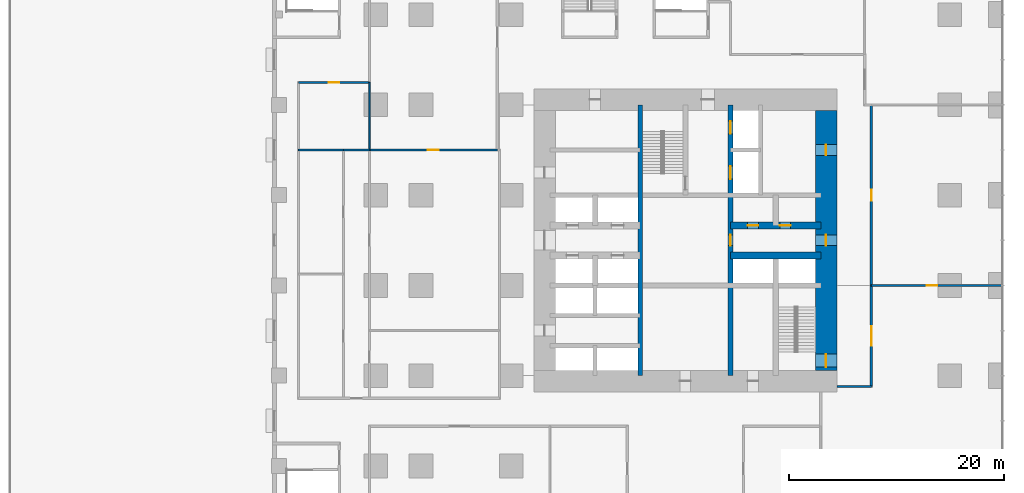
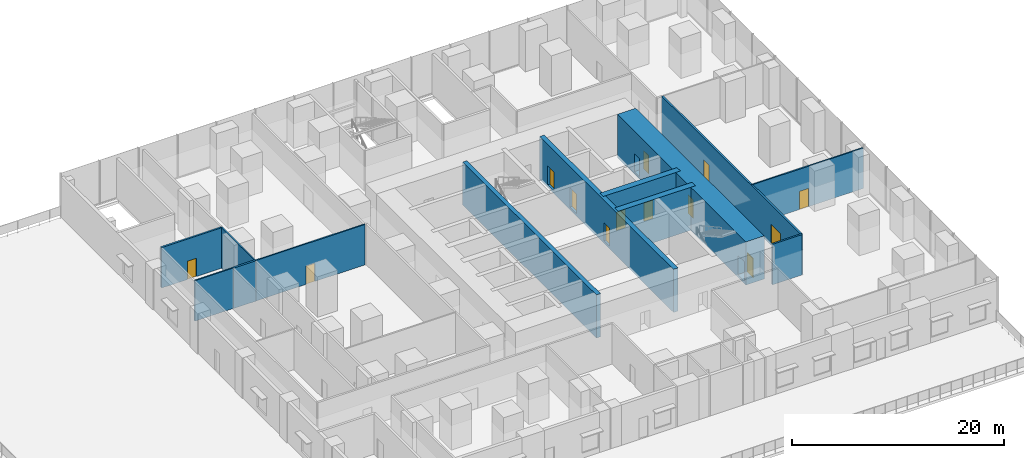
# One storey, part 13 of 18: 13 doors, 13 walls, 13 openings.
"""IFC4 building model written with IfcOpenShell, lengths in metres."""

from ifc_helpers import new_model, si_unit, direction, frame, frame_2d, origin, place, context, subcontext, project, spatial, rectangle, extrude, material, layer, layer_set, type_object, element, fill, save


model = new_model("IFC4")

# Units and contexts
model_context = context("Model", 3, precision=1e-05, world=origin(), true_north=direction((0.0, 1.0)))
body_context = subcontext(model_context, "Body", "Model", "MODEL_VIEW")
ifc_project = project(units=[si_unit("LENGTHUNIT", "METRE"), si_unit("AREAUNIT", "SQUARE_METRE"), si_unit("VOLUMEUNIT", "CUBIC_METRE"), si_unit("PLANEANGLEUNIT", "RADIAN"), si_unit("MASSUNIT", "GRAM", prefix="KILO")], contexts=[model_context])

# Site, building, storey
site_placement = place(None, origin())
site = spatial("IfcSite", under=ifc_project, at=site_placement, CompositionType="ELEMENT")
building_placement = place(site_placement, origin())
building = spatial("IfcBuilding", under=site, at=building_placement, Name="Dunama Terrace Hotel", CompositionType="ELEMENT")
storey_placement = place(building_placement, frame((0.0, 0.0, 17.0)))
storey = spatial("IfcBuildingStorey", under=building, at=storey_placement, Name="L03", CompositionType="ELEMENT", Elevation=17.0)

# Wall
ifc_material_1 = material(Name="Concrete C50/60", Category="concrete")
ifc_layer_1 = layer(ifc_material_1, 0.449951171875)
ifc_layer_set_1 = layer_set([ifc_layer_1], Name="Core inner wall 450")
wall_type_1 = type_object("IfcWallType", Name="Core inner wall 450", PredefinedType="SHEAR", material=ifc_layer_set_1)
wall_1_placement = place(storey_placement, frame((25.199951171875, 16.800048828125, -0.300048828125), z_axis=(0.0, 0.0, 1.0), x_axis=(0.0, 1.0, 0.0)))
element("IfcWall", 1, at=wall_1_placement, inside=storey, type_object=wall_type_1, Name="Core inner wall 450 L03", PredefinedType="SHEAR", context=body_context, shape_type="SweptSolid", body=[
    extrude(rectangle(XDim=25.199951171875, YDim=0.449951171875, at=frame_2d((12.60009765625, 0.0))), origin(), (0.0, 0.0, 1.0), 4.949951171875),
])

# Wall, openings, doors
ifc_material_2 = material(Name="Concrete C50/60", Category="concrete")
ifc_layer_2 = layer(ifc_material_2, 0.5)
ifc_layer_set_2 = layer_set([ifc_layer_2], Name="Core inner wall 500")
wall_type_2 = type_object("IfcWallType", Name="Core inner wall 500", PredefinedType="SHEAR", material=ifc_layer_set_2)
wall_2_placement = place(storey_placement, frame((33.60009765625, 16.800048828125, -0.300048828125), z_axis=(0.0, 0.0, 1.0), x_axis=(0.0, 1.0, 0.0)))
wall_2 = element("IfcWall", 2, at=wall_2_placement, inside=storey, type_object=wall_type_2, Name="Core inner wall 500 L03", PredefinedType="SHEAR", context=body_context, shape_type="SweptSolid", body=[
    extrude(rectangle(XDim=25.199951171875, YDim=0.5, at=frame_2d((12.60009765625, 0.0))), origin(), (0.0, 0.0, 1.0), 4.949951171875),
])
opening_1_placement = place(wall_2_placement, frame((22.5, 0.0, 0.300048828125)))
opening_1 = element("IfcOpeningElement", 3, at=opening_1_placement, cuts=wall_2, Name="Opening L03-016", PredefinedType="OPENING", context=body_context, shape_type="SweptSolid", body=[
    extrude(rectangle(XDim=1.199951171875, YDim=2.199951171875, at=frame_2d((0.60009765625, 1.10009765625))), frame((0.0, 0.260009765625, 0.0), z_axis=(0.0, -1.0, 0.0), x_axis=(1.0, 0.0, 0.0)), (0.0, 0.0, 1.0), 0.52001953125),
])
opening_2_placement = place(wall_2_placement, frame((18.300048828125, 0.0, 0.300048828125)))
opening_2 = element("IfcOpeningElement", 4, at=opening_2_placement, cuts=wall_2, Name="Opening L03-017", PredefinedType="OPENING", context=body_context, shape_type="SweptSolid", body=[
    extrude(rectangle(XDim=1.199951171875, YDim=2.199951171875, at=frame_2d((0.60009765625, 1.10009765625))), frame((0.0, 0.260009765625, 0.0), z_axis=(0.0, -1.0, 0.0), x_axis=(1.0, 0.0, 0.0)), (0.0, 0.0, 1.0), 0.52001953125),
])
opening_3_placement = place(wall_2_placement, frame((12.10009765625, 0.0, 0.300048828125)))
opening_3 = element("IfcOpeningElement", 5, at=opening_3_placement, cuts=wall_2, Name="Opening L03-022", PredefinedType="OPENING", context=body_context, shape_type="SweptSolid", body=[
    extrude(rectangle(XDim=1.0, YDim=2.10009765625, at=frame_2d((0.5, 1.050048828125))), frame((0.0, 0.260009765625, 0.0), z_axis=(0.0, -1.0, 0.0), x_axis=(1.0, 0.0, 0.0)), (0.0, 0.0, 1.0), 0.52001953125),
])
ifc_material_3 = material(Name="Stainless steel lift door", Category="steel")
door_type_1 = type_object("IfcDoorType", Name="Firefighting lift landing door 1200", OperationType="DOUBLE_DOOR_SLIDING", PredefinedType="DOOR", material=ifc_material_3)
door_1_placement = place(opening_1_placement, origin())
door_1 = element("IfcDoor", 6, at=door_1_placement, inside=storey, type_object=door_type_1, Name="Landing door FL1 L03-016, type LD2", OperationType="DOUBLE_DOOR_SLIDING", OverallHeight=2.199951171875, OverallWidth=1.199951171875, PredefinedType="DOOR", context=body_context, shape_type="SweptSolid", body=[
    extrude(rectangle(XDim=1.199951171875, YDim=2.199951171875, at=frame_2d((0.60009765625, 1.10009765625))), frame((0.0, 0.02490234375, 0.0), z_axis=(0.0, -1.0, 0.0), x_axis=(1.0, 0.0, 0.0)), (0.0, 0.0, 1.0), 0.050048828125),
])
fill(opening_1, door_1)
door_2_placement = place(opening_2_placement, origin())
door_2 = element("IfcDoor", 7, at=door_2_placement, inside=storey, type_object=door_type_1, Name="Landing door FL2 L03-017, type LD2", OperationType="DOUBLE_DOOR_SLIDING", OverallHeight=2.199951171875, OverallWidth=1.199951171875, PredefinedType="DOOR", context=body_context, shape_type="SweptSolid", body=[
    extrude(rectangle(XDim=1.199951171875, YDim=2.199951171875, at=frame_2d((0.60009765625, 1.10009765625))), frame((0.0, 0.02490234375, 0.0), z_axis=(0.0, -1.0, 0.0), x_axis=(1.0, 0.0, 0.0)), (0.0, 0.0, 1.0), 0.050048828125),
])
fill(opening_2, door_2)
ifc_material_4 = material(Name="Timber door with steel frame", Category="steel")
door_type_2 = type_object("IfcDoorType", Name="Service door 1000", OperationType="SINGLE_SWING_LEFT", PredefinedType="DOOR", material=ifc_material_4)
door_3_placement = place(opening_3_placement, origin())
door_3 = element("IfcDoor", 8, at=door_3_placement, inside=storey, type_object=door_type_2, Name="Door to linen and housekeeping room L03-022, type D7", OperationType="SINGLE_SWING_LEFT", OverallHeight=2.10009765625, OverallWidth=1.0, PredefinedType="DOOR", context=body_context, shape_type="SweptSolid", body=[
    extrude(rectangle(XDim=1.0, YDim=2.10009765625, at=frame_2d((0.5, 1.050048828125))), frame((0.0, 0.02490234375, 0.0), z_axis=(0.0, -1.0, 0.0), x_axis=(1.0, 0.0, 0.0)), (0.0, 0.0, 1.0), 0.050048828125),
])
fill(opening_3, door_3)

# Wall
ifc_material_5 = material(Name="Concrete C50/60", Category="concrete")
ifc_layer_3 = layer(ifc_material_5, 0.64990234375)
ifc_layer_set_3 = layer_set([ifc_layer_3], Name="Core inner wall 650")
wall_type_3 = type_object("IfcWallType", Name="Core inner wall 650", PredefinedType="SHEAR", material=ifc_layer_set_3)
wall_3_placement = place(storey_placement, frame((33.60009765625, 28.0, -0.300048828125), z_axis=(0.0, 0.0, 1.0), x_axis=(1.0, 0.0, 0.0)))
element("IfcWall", 9, at=wall_3_placement, inside=storey, type_object=wall_type_3, Name="Core inner wall 650 L03", PredefinedType="SHEAR", context=body_context, shape_type="SweptSolid", body=[
    extrude(rectangle(XDim=8.39990234375, YDim=0.64990234375, at=frame_2d((4.199951171875, 0.0))), origin(), (0.0, 0.0, 1.0), 4.949951171875),
])

# Wall, openings, doors
wall_4_placement = place(storey_placement, frame((33.60009765625, 30.800048828125, -0.300048828125), z_axis=(0.0, 0.0, 1.0), x_axis=(1.0, 0.0, 0.0)))
wall_4 = element("IfcWall", 10, at=wall_4_placement, inside=storey, type_object=wall_type_3, Name="Core inner wall 650 L03", PredefinedType="SHEAR", context=body_context, shape_type="SweptSolid", body=[
    extrude(rectangle(XDim=8.39990234375, YDim=0.64990234375, at=frame_2d((4.199951171875, 0.0))), origin(), (0.0, 0.0, 1.0), 4.949951171875),
])
opening_4_placement = place(wall_4_placement, frame((1.60009765625, 0.0, 0.300048828125)))
opening_4 = element("IfcOpeningElement", 11, at=opening_4_placement, cuts=wall_4, Name="Opening L03-023", PredefinedType="OPENING", context=body_context, shape_type="SweptSolid", body=[
    extrude(rectangle(XDim=1.0, YDim=2.10009765625, at=frame_2d((0.5, 1.050048828125))), frame((0.0, 0.3349609375, 0.0), z_axis=(0.0, -1.0, 0.0), x_axis=(1.0, 0.0, 0.0)), (0.0, 0.0, 1.0), 0.669921875),
])
opening_5_placement = place(wall_4_placement, frame((4.60009765625, 0.0, 0.300048828125)))
opening_5 = element("IfcOpeningElement", 12, at=opening_5_placement, cuts=wall_4, Name="Opening L03-024", PredefinedType="OPENING", context=body_context, shape_type="SweptSolid", body=[
    extrude(rectangle(XDim=1.0, YDim=2.10009765625, at=frame_2d((0.5, 1.050048828125))), frame((0.0, 0.3349609375, 0.0), z_axis=(0.0, -1.0, 0.0), x_axis=(1.0, 0.0, 0.0)), (0.0, 0.0, 1.0), 0.669921875),
])
door_4_placement = place(opening_4_placement, origin())
door_4 = element("IfcDoor", 13, at=door_4_placement, inside=storey, type_object=door_type_2, Name="Door to service riser L03-023, type D7", OperationType="SINGLE_SWING_RIGHT", OverallHeight=2.10009765625, OverallWidth=1.0, PredefinedType="DOOR", context=body_context, shape_type="SweptSolid", body=[
    extrude(rectangle(XDim=1.0, YDim=2.10009765625, at=frame_2d((0.5, 1.050048828125))), frame((0.0, 0.02490234375, 0.0), z_axis=(0.0, -1.0, 0.0), x_axis=(1.0, 0.0, 0.0)), (0.0, 0.0, 1.0), 0.050048828125),
])
fill(opening_4, door_4)
door_5_placement = place(opening_5_placement, origin())
door_5 = element("IfcDoor", 14, at=door_5_placement, inside=storey, type_object=door_type_2, Name="Door to staff accessible wc L03-024, type D7", OperationType="SINGLE_SWING_LEFT", OverallHeight=2.10009765625, OverallWidth=1.0, PredefinedType="DOOR", context=body_context, shape_type="SweptSolid", body=[
    extrude(rectangle(XDim=1.0, YDim=2.10009765625, at=frame_2d((0.5, 1.050048828125))), frame((0.0, 0.02490234375, 0.0), z_axis=(0.0, -1.0, 0.0), x_axis=(1.0, 0.0, 0.0)), (0.0, 0.0, 1.0), 0.050048828125),
])
fill(opening_5, door_5)

ifc_material_6 = material(Name="Concrete C60/75", Category="concrete")
ifc_layer_4 = layer(ifc_material_6, 2.0)
ifc_layer_set_4 = layer_set([ifc_layer_4], Name="Core wall 2000")
wall_type_4 = type_object("IfcWallType", Name="Core wall 2000", PredefinedType="SHEAR", material=ifc_layer_set_4)
wall_5_placement = place(storey_placement, frame((42.5, 17.300048828125, -0.300048828125), z_axis=(0.0, 0.0, 1.0), x_axis=(0.0, 1.0, 0.0)))
wall_5 = element("IfcWall", 15, at=wall_5_placement, inside=storey, type_object=wall_type_4, Name="Core wall east L03", PredefinedType="SHEAR", context=body_context, shape_type="SweptSolid", body=[
    extrude(rectangle(XDim=24.199951171875, YDim=2.0, at=frame_2d((12.10009765625, 0.0))), origin(), (0.0, 0.0, 1.0), 4.949951171875),
])
opening_6_placement = place(wall_5_placement, frame((0.300048828125, 0.0, 0.300048828125)))
opening_6 = element("IfcOpeningElement", 16, at=opening_6_placement, cuts=wall_5, Name="Opening L03-007", PredefinedType="OPENING", context=body_context, shape_type="SweptSolid", body=[
    extrude(rectangle(XDim=1.199951171875, YDim=2.199951171875, at=frame_2d((0.60009765625, 1.10009765625))), frame((0.0, 1.010009765625, 0.0), z_axis=(0.0, -1.0, 0.0), x_axis=(1.0, 0.0, 0.0)), (0.0, 0.0, 1.0), 2.02001953125),
])
opening_7_placement = place(wall_5_placement, frame((11.60009765625, 0.0, 0.300048828125)))
opening_7 = element("IfcOpeningElement", 17, at=opening_7_placement, cuts=wall_5, Name="Opening L03-025", PredefinedType="OPENING", context=body_context, shape_type="SweptSolid", body=[
    extrude(rectangle(XDim=1.0, YDim=2.10009765625, at=frame_2d((0.5, 1.050048828125))), frame((0.0, 1.010009765625, 0.0), z_axis=(0.0, -1.0, 0.0), x_axis=(1.0, 0.0, 0.0)), (0.0, 0.0, 1.0), 2.02001953125),
])
opening_8_placement = place(wall_5_placement, frame((20.0, 0.0, 0.300048828125)))
opening_8 = element("IfcOpeningElement", 18, at=opening_8_placement, cuts=wall_5, Name="Opening L03-027", PredefinedType="OPENING", context=body_context, shape_type="SweptSolid", body=[
    extrude(rectangle(XDim=1.0, YDim=2.10009765625, at=frame_2d((0.5, 1.050048828125))), frame((0.0, 1.010009765625, 0.0), z_axis=(0.0, -1.0, 0.0), x_axis=(1.0, 0.0, 0.0)), (0.0, 0.0, 1.0), 2.02001953125),
])
door_6_placement = place(opening_7_placement, origin())
door_6 = element("IfcDoor", 19, at=door_6_placement, inside=storey, type_object=door_type_2, Name="Door to service lobby L03-025, type D7", OperationType="SINGLE_SWING_LEFT", OverallHeight=2.10009765625, OverallWidth=1.0, PredefinedType="DOOR", context=body_context, shape_type="SweptSolid", body=[
    extrude(rectangle(XDim=1.0, YDim=2.10009765625, at=frame_2d((0.5, 1.050048828125))), frame((0.0, 0.02490234375, 0.0), z_axis=(0.0, -1.0, 0.0), x_axis=(1.0, 0.0, 0.0)), (0.0, 0.0, 1.0), 0.050048828125),
])
fill(opening_7, door_6)
door_7_placement = place(opening_8_placement, origin())
door_7 = element("IfcDoor", 20, at=door_7_placement, inside=storey, type_object=door_type_2, Name="Door to bar store L03-027, type D7", OperationType="SINGLE_SWING_RIGHT", OverallHeight=2.10009765625, OverallWidth=1.0, PredefinedType="DOOR", context=body_context, shape_type="SweptSolid", body=[
    extrude(rectangle(XDim=1.0, YDim=2.10009765625, at=frame_2d((0.5, 1.050048828125))), frame((0.0, 0.02490234375, 0.0), z_axis=(0.0, -1.0, 0.0), x_axis=(1.0, 0.0, 0.0)), (0.0, 0.0, 1.0), 0.050048828125),
])
fill(opening_8, door_7)
ifc_material_7 = material(Name="Timber door with steel frame", Category="steel")
door_type_3 = type_object("IfcDoorType", Name="Stair door 1200", OperationType="SINGLE_SWING_LEFT", PredefinedType="DOOR", material=ifc_material_7)
door_8_placement = place(opening_6_placement, origin())
door_8 = element("IfcDoor", 21, at=door_8_placement, inside=storey, type_object=door_type_3, Name="Stair door ST2 L03-007, type D5", OperationType="SINGLE_SWING_LEFT", OverallHeight=2.199951171875, OverallWidth=1.199951171875, PredefinedType="DOOR", context=body_context, shape_type="SweptSolid", body=[
    extrude(rectangle(XDim=1.199951171875, YDim=2.199951171875, at=frame_2d((0.60009765625, 1.10009765625))), frame((0.0, 0.02490234375, 0.0), z_axis=(0.0, -1.0, 0.0), x_axis=(1.0, 0.0, 0.0)), (0.0, 0.0, 1.0), 0.050048828125),
])
fill(opening_6, door_8)

ifc_material_8 = material(Name="Concrete blockwork", Category="masonry")
ifc_layer_5 = layer(ifc_material_8, 0.199951171875)
ifc_layer_set_5 = layer_set([ifc_layer_5], Name="Corridor partition 200")
wall_type_5 = type_object("IfcWallType", Name="Corridor partition 200", PredefinedType="PARTITIONING", material=ifc_layer_set_5)
wall_6_placement = place(storey_placement, frame((46.699951171875, 15.800048828125, 0.0), z_axis=(0.0, 0.0, 1.0), x_axis=(0.0, 1.0, 0.0)))
wall_6 = element("IfcWall", 22, at=wall_6_placement, inside=storey, type_object=wall_type_5, Name="Corridor partition 200 L03", PredefinedType="PARTITIONING", context=body_context, shape_type="SweptSolid", body=[
    extrude(rectangle(XDim=26.199951171875, YDim=0.199951171875, at=frame_2d((13.10009765625, 0.0))), origin(), (0.0, 0.0, 1.0), 4.64990234375),
])
opening_9_placement = place(wall_6_placement, frame((3.800048828125, 0.0, 0.0)))
opening_9 = element("IfcOpeningElement", 23, at=opening_9_placement, cuts=wall_6, Name="Opening L03-038", PredefinedType="OPENING", context=body_context, shape_type="SweptSolid", body=[
    extrude(rectangle(XDim=1.800048828125, YDim=2.39990234375, at=frame_2d((0.89990234375, 1.199951171875))), frame((0.0, 0.10986328125, 0.0), z_axis=(0.0, -1.0, 0.0), x_axis=(1.0, 0.0, 0.0)), (0.0, 0.0, 1.0), 0.219970703125),
])
opening_10_placement = place(wall_6_placement, frame((17.300048828125, 0.0, 0.0)))
opening_10 = element("IfcOpeningElement", 24, at=opening_10_placement, cuts=wall_6, Name="Opening L03-040", PredefinedType="OPENING", context=body_context, shape_type="SweptSolid", body=[
    extrude(rectangle(XDim=1.0, YDim=2.10009765625, at=frame_2d((0.5, 1.050048828125))), frame((0.0, 0.10986328125, 0.0), z_axis=(0.0, -1.0, 0.0), x_axis=(1.0, 0.0, 0.0)), (0.0, 0.0, 1.0), 0.219970703125),
])
ifc_material_9 = material(Name="Aluminium-framed glazed door", Category="aluminium")
door_type_4 = type_object("IfcDoorType", Name="Glazed double door 1800", OperationType="DOUBLE_DOOR_DOUBLE_SWING", PredefinedType="DOOR", material=ifc_material_9)
door_9_placement = place(opening_9_placement, origin())
door_9 = element("IfcDoor", 25, at=door_9_placement, inside=storey, type_object=door_type_4, Name="Door to specialty restaurant L03-038, type D8", OperationType="DOUBLE_DOOR_DOUBLE_SWING", OverallHeight=2.39990234375, OverallWidth=1.800048828125, PredefinedType="DOOR", context=body_context, shape_type="SweptSolid", body=[
    extrude(rectangle(XDim=1.800048828125, YDim=2.39990234375, at=frame_2d((0.89990234375, 1.199951171875))), frame((0.0, 0.02490234375, 0.0), z_axis=(0.0, -1.0, 0.0), x_axis=(1.0, 0.0, 0.0)), (0.0, 0.0, 1.0), 0.050048828125),
])
fill(opening_9, door_9)
door_10_placement = place(opening_10_placement, frame((1.0, 0.0, 0.0), z_axis=(0.0, 0.0, 1.0), x_axis=(-1.0, 0.0, 0.0)))
door_10 = element("IfcDoor", 26, at=door_10_placement, inside=storey, type_object=door_type_2, Name="Door to specialty kitchen L03-040, type D7", OperationType="SINGLE_SWING_RIGHT", OverallHeight=2.10009765625, OverallWidth=1.0, PredefinedType="DOOR", context=body_context, shape_type="SweptSolid", body=[
    extrude(rectangle(XDim=1.0, YDim=2.10009765625, at=frame_2d((0.5, 1.050048828125))), frame((0.0, 0.025146484375, 0.0), z_axis=(0.0, -1.0, 0.0), x_axis=(1.0, 0.0, 0.0)), (0.0, 0.0, 1.0), 0.050048828125),
])
fill(opening_10, door_10)

# Walls
wall_7_placement = place(storey_placement, frame((43.5, 15.800048828125, 0.0), z_axis=(0.0, 0.0, 1.0), x_axis=(1.0, 0.0, 0.0)))
element("IfcWall", 27, at=wall_7_placement, inside=storey, type_object=wall_type_5, Name="Corridor partition 200 L03", PredefinedType="PARTITIONING", context=body_context, shape_type="SweptSolid", body=[
    extrude(rectangle(XDim=3.199951171875, YDim=0.199951171875, at=frame_2d((1.60009765625, 0.0))), origin(), (0.0, 0.0, 1.0), 4.64990234375),
])
wall_8_placement = place(storey_placement, frame((-2.39990234375, 37.800048828125, 0.0), z_axis=(0.0, 0.0, 1.0), x_axis=(1.0, 0.0, 0.0)))
element("IfcWall", 28, at=wall_8_placement, inside=storey, type_object=wall_type_5, Name="Corridor partition 200 L03", PredefinedType="PARTITIONING", context=body_context, shape_type="SweptSolid", body=[
    extrude(rectangle(XDim=2.39990234375, YDim=0.199951171875, at=frame_2d((1.199951171875, 0.0))), origin(), (0.0, 0.0, 1.0), 4.64990234375),
])

# Wall, opening, door
wall_9_placement = place(storey_placement, frame((-6.60009765625, 44.10009765625, 0.0), z_axis=(0.0, 0.0, 1.0), x_axis=(1.0, 0.0, 0.0)))
wall_9 = element("IfcWall", 29, at=wall_9_placement, inside=storey, type_object=wall_type_5, Name="Corridor partition 200 L03", PredefinedType="PARTITIONING", context=body_context, shape_type="SweptSolid", body=[
    extrude(rectangle(XDim=6.60009765625, YDim=0.199951171875, at=frame_2d((3.300048828125, 0.0))), origin(), (0.0, 0.0, 1.0), 4.64990234375),
])
opening_11_placement = place(wall_9_placement, frame((2.800048828125, 0.0, 0.0)))
opening_11 = element("IfcOpeningElement", 30, at=opening_11_placement, cuts=wall_9, Name="Opening L03-047", PredefinedType="OPENING", context=body_context, shape_type="SweptSolid", body=[
    extrude(rectangle(XDim=1.0, YDim=2.10009765625, at=frame_2d((0.5, 1.050048828125))), frame((0.0, 0.10986328125, 0.0), z_axis=(0.0, -1.0, 0.0), x_axis=(1.0, 0.0, 0.0)), (0.0, 0.0, 1.0), 0.219970703125),
])
door_11_placement = place(opening_11_placement, frame((1.0, 0.0, 0.0), z_axis=(0.0, 0.0, 1.0), x_axis=(-1.0, 0.0, 0.0)))
door_11 = element("IfcDoor", 31, at=door_11_placement, inside=storey, type_object=door_type_2, Name="Door to dining reservations office L03-047, type D7", OperationType="SINGLE_SWING_LEFT", OverallHeight=2.10009765625, OverallWidth=1.0, PredefinedType="DOOR", context=body_context, shape_type="SweptSolid", body=[
    extrude(rectangle(XDim=1.0, YDim=2.10009765625, at=frame_2d((0.5, 1.050048828125))), frame((0.0, 0.025146484375, 0.0), z_axis=(0.0, -1.0, 0.0), x_axis=(1.0, 0.0, 0.0)), (0.0, 0.0, 1.0), 0.050048828125),
])
fill(opening_11, door_11)

# Wall
ifc_material_10 = material(Name="Gypsum board partition", Category="masonry")
ifc_layer_6 = layer(ifc_material_10, 0.14990234375)
ifc_layer_set_6 = layer_set([ifc_layer_6], Name="Room partition 150")
wall_type_6 = type_object("IfcWallType", Name="Room partition 150", PredefinedType="PARTITIONING", material=ifc_layer_set_6)
wall_10_placement = place(storey_placement, frame((0.0, 37.800048828125, 0.0), z_axis=(0.0, 0.0, 1.0), x_axis=(0.0, 1.0, 0.0)))
element("IfcWall", 32, at=wall_10_placement, inside=storey, type_object=wall_type_6, Name="Room partition 150 L03", PredefinedType="PARTITIONING", context=body_context, shape_type="SweptSolid", body=[
    extrude(rectangle(XDim=6.300048828125, YDim=0.14990234375, at=frame_2d((3.14990234375, 0.0))), origin(), (0.0, 0.0, 1.0), 4.64990234375),
])

# Wall, opening, door
wall_11_placement = place(storey_placement, frame((46.699951171875, 25.199951171875, 0.0), z_axis=(0.0, 0.0, 1.0), x_axis=(1.0, 0.0, 0.0)))
wall_11 = element("IfcWall", 33, at=wall_11_placement, inside=storey, type_object=wall_type_6, Name="Room partition 150 L03", PredefinedType="PARTITIONING", context=body_context, shape_type="SweptSolid", body=[
    extrude(rectangle(XDim=12.10009765625, YDim=0.14990234375, at=frame_2d((6.050048828125, 0.0))), origin(), (0.0, 0.0, 1.0), 4.64990234375),
])
opening_12_placement = place(wall_11_placement, frame((5.14990234375, 0.0, 0.0)))
opening_12 = element("IfcOpeningElement", 34, at=opening_12_placement, cuts=wall_11, Name="Opening L03-039", PredefinedType="OPENING", context=body_context, shape_type="SweptSolid", body=[
    extrude(rectangle(XDim=1.0, YDim=2.10009765625, at=frame_2d((0.5, 1.050048828125))), frame((0.0, 0.0849609375, 0.0), z_axis=(0.0, -1.0, 0.0), x_axis=(1.0, 0.0, 0.0)), (0.0, 0.0, 1.0), 0.169921875),
])
door_12_placement = place(opening_12_placement, origin())
door_12 = element("IfcDoor", 35, at=door_12_placement, inside=storey, type_object=door_type_2, Name="Door to specialty kitchen L03-039, type D7", OperationType="SINGLE_SWING_RIGHT", OverallHeight=2.10009765625, OverallWidth=1.0, PredefinedType="DOOR", context=body_context, shape_type="SweptSolid", body=[
    extrude(rectangle(XDim=1.0, YDim=2.10009765625, at=frame_2d((0.5, 1.050048828125))), frame((0.0, 0.02490234375, 0.0), z_axis=(0.0, -1.0, 0.0), x_axis=(1.0, 0.0, 0.0)), (0.0, 0.0, 1.0), 0.050048828125),
])
fill(opening_12, door_12)

# Wall
wall_12_placement = place(storey_placement, frame((-6.60009765625, 37.800048828125, 0.0), z_axis=(0.0, 0.0, 1.0), x_axis=(1.0, 0.0, 0.0)))
element("IfcWall", 36, at=wall_12_placement, inside=storey, type_object=wall_type_6, Name="Room partition 150 L03", PredefinedType="PARTITIONING", context=body_context, shape_type="SweptSolid", body=[
    extrude(rectangle(XDim=4.2001953125, YDim=0.14990234375, at=frame_2d((2.10009765625, 0.0))), origin(), (0.0, 0.0, 1.0), 4.64990234375),
])

# Wall, opening, door
wall_13_placement = place(storey_placement, frame((0.0, 37.800048828125, 0.0), z_axis=(0.0, 0.0, 1.0), x_axis=(1.0, 0.0, 0.0)))
wall_13 = element("IfcWall", 37, at=wall_13_placement, inside=storey, type_object=wall_type_6, Name="Room partition 150 L03", PredefinedType="PARTITIONING", context=body_context, shape_type="SweptSolid", body=[
    extrude(rectangle(XDim=11.89990234375, YDim=0.14990234375, at=frame_2d((5.949951171875, 0.0))), origin(), (0.0, 0.0, 1.0), 4.64990234375),
])
opening_13_placement = place(wall_13_placement, frame((5.449951171875, 0.0, 0.0)))
opening_13 = element("IfcOpeningElement", 38, at=opening_13_placement, cuts=wall_13, Name="Opening L03-031", PredefinedType="OPENING", context=body_context, shape_type="SweptSolid", body=[
    extrude(rectangle(XDim=1.0, YDim=2.10009765625, at=frame_2d((0.5, 1.050048828125))), frame((0.0, 0.0849609375, 0.0), z_axis=(0.0, -1.0, 0.0), x_axis=(1.0, 0.0, 0.0)), (0.0, 0.0, 1.0), 0.169921875),
])
door_13_placement = place(opening_13_placement, frame((1.0, 0.0, 0.0), z_axis=(0.0, 0.0, 1.0), x_axis=(-1.0, 0.0, 0.0)))
door_13 = element("IfcDoor", 39, at=door_13_placement, inside=storey, type_object=door_type_2, Name="Door to main kitchen L03-031, type D7", OperationType="SINGLE_SWING_RIGHT", OverallHeight=2.10009765625, OverallWidth=1.0, PredefinedType="DOOR", context=body_context, shape_type="SweptSolid", body=[
    extrude(rectangle(XDim=1.0, YDim=2.10009765625, at=frame_2d((0.5, 1.050048828125))), frame((0.0, 0.025146484375, 0.0), z_axis=(0.0, -1.0, 0.0), x_axis=(1.0, 0.0, 0.0)), (0.0, 0.0, 1.0), 0.050048828125),
])
fill(opening_13, door_13)

save(model, "model.ifc")
